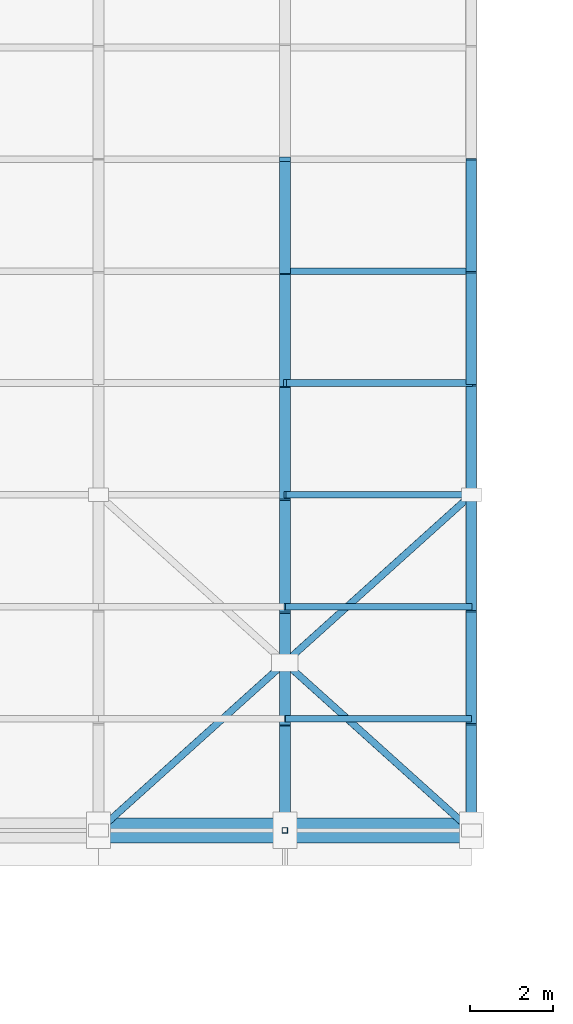
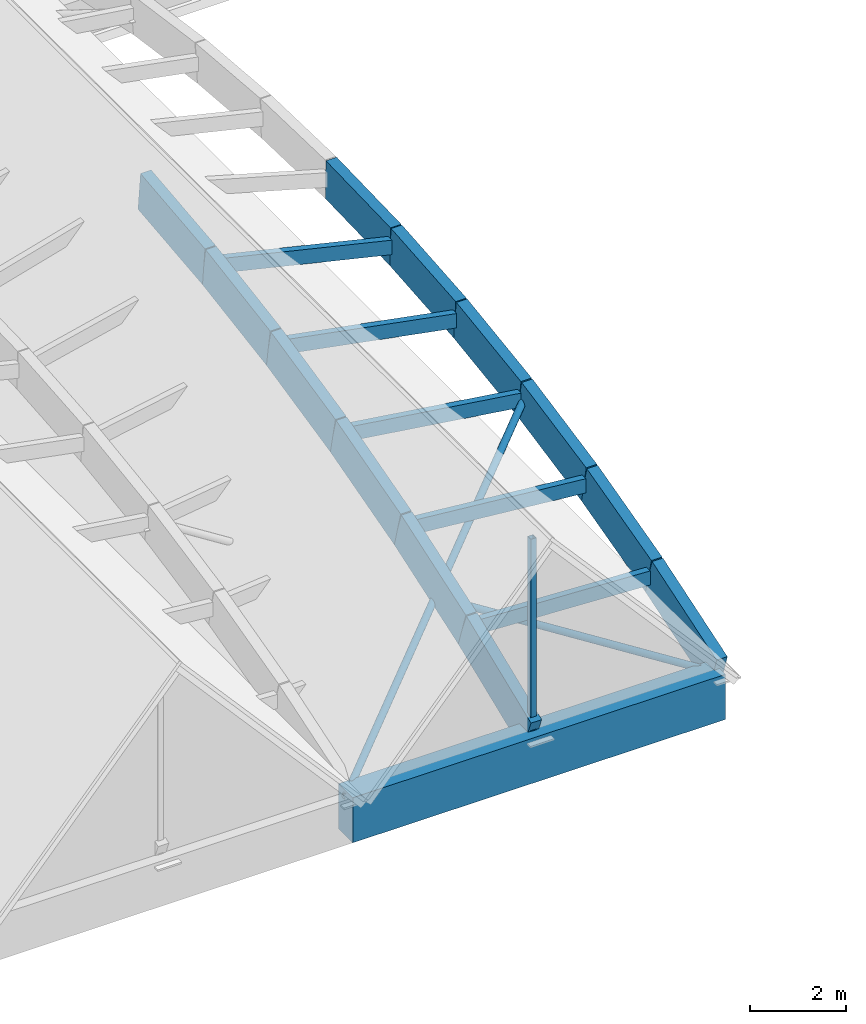
# One storey, part 25 of 39: 20 members, 1 beam.
"""IFC4 building model written with IfcOpenShell, lengths in metres."""

from ifc_helpers import new_model, si_unit, direction, frame, origin, origin_2d, place, context, subcontext, project, spatial, rectangle, hollow_rectangle, hollow_circle, extrude, material, material_profile, profile_set, type_object, element, save


model = new_model("IFC4")

# Units and contexts
model_context = context("Model", 3, precision=1e-05, world=origin(), true_north=direction((0.0, 1.0)))
body_context = subcontext(model_context, "Body", "Model", "MODEL_VIEW")
ifc_project = project(units=[si_unit("LENGTHUNIT", "METRE"), si_unit("AREAUNIT", "SQUARE_METRE"), si_unit("VOLUMEUNIT", "CUBIC_METRE"), si_unit("PLANEANGLEUNIT", "RADIAN"), si_unit("MASSUNIT", "GRAM", prefix="KILO")], contexts=[model_context])

# Site, building, storey
site_placement = place(None, origin())
site = spatial("IfcSite", under=ifc_project, at=site_placement, CompositionType="ELEMENT")
building_placement = place(site_placement, origin())
building = spatial("IfcBuilding", under=site, at=building_placement, Name="Tizgana Railside Sports Hall", CompositionType="ELEMENT")
storey_placement = place(building_placement, frame((0.0, 0.0, 23.699951171875)))
storey = spatial("IfcBuildingStorey", under=building, at=storey_placement, Name="RF", CompositionType="ELEMENT", Elevation=23.699951171875)

# Beam
ifc_material_1 = material(Name="Concrete C40/50", Category="concrete")
ifc_material_profile_1 = material_profile(ifc_material_1, rectangle(XDim=0.60009765625, YDim=1.14990234375, at=origin_2d()), Name="RCB 600x1150")
ifc_profile_set_1 = profile_set([ifc_material_profile_1], Name="Concrete C40/50")
beam_type = type_object("IfcBeamType", Name="Concrete Beam RCB 600x1150", PredefinedType="BEAM", material=ifc_profile_set_1)
beam_placement = place(storey_placement, frame((124.800048828125, 40.800048828125, -3.27490234375), z_axis=(1.0, 0.0, 0.0), x_axis=(0.0, 1.0, 0.0)))
element("IfcBeam", 1, at=beam_placement, inside=storey, type_object=beam_type, Name="RF BEM-1228", PredefinedType="BEAM", context=body_context, shape_type="SweptSolid", body=[
    extrude(rectangle(XDim=0.60009765625, YDim=1.14990234375, at=origin_2d()), origin(), (0.0, 0.0, 1.0), 9.0),
])

# Members
ifc_material_2 = material(Name="Glulam GL32h", Category="wood")
ifc_material_profile_2 = material_profile(ifc_material_2, rectangle(XDim=0.260009765625, YDim=0.97998046875, at=origin_2d()), Name="GL 260x980")
ifc_profile_set_2 = profile_set([ifc_material_profile_2], Name="Glulam GL32h")
member_type_1 = type_object("IfcMemberType", Name="Glulam Arch Segment GL 260x980", PredefinedType="USERDEFINED", material=ifc_profile_set_2)
member_1_placement = place(storey_placement, frame((129.300048828125, 40.800048828125, -2.849853515625), z_axis=(0.0, 0.927129277991, 0.37474164686), x_axis=(-1.0, 0.0, 0.0)))
element("IfcMember", 2, at=member_1_placement, inside=storey, type_object=member_type_1, Name="RF V2 Arch Chord MEM-0549", ObjectType="ARCH_SEGMENT", PredefinedType="USERDEFINED", context=body_context, shape_type="SweptSolid", body=[
    extrude(rectangle(XDim=0.260009765625, YDim=0.97998046875, at=origin_2d()), origin(), (0.0, 0.0, 1.0), 2.912109375),
])
member_2_placement = place(storey_placement, frame((129.300048828125, 43.5, -1.758544921875), z_axis=(0.0, 0.946643794117, 0.322281751049), x_axis=(-1.0, 0.0, 0.0)))
element("IfcMember", 3, at=member_2_placement, inside=storey, type_object=member_type_1, Name="RF V2 Arch Chord MEM-0550", ObjectType="ARCH_SEGMENT", PredefinedType="USERDEFINED", context=body_context, shape_type="SweptSolid", body=[
    extrude(rectangle(XDim=0.260009765625, YDim=0.97998046875, at=origin_2d()), origin(), (0.0, 0.0, 1.0), 2.85205078125),
])
member_3_placement = place(storey_placement, frame((129.300048828125, 46.199951171875, -0.83935546875), z_axis=(0.0, 0.963066151939, 0.269264901148), x_axis=(-1.0, 0.0, 0.0)))
element("IfcMember", 4, at=member_3_placement, inside=storey, type_object=member_type_1, Name="RF V2 Arch Chord MEM-0551", ObjectType="ARCH_SEGMENT", PredefinedType="USERDEFINED", context=body_context, shape_type="SweptSolid", body=[
    extrude(rectangle(XDim=0.260009765625, YDim=0.97998046875, at=origin_2d()), origin(), (0.0, 0.0, 1.0), 2.803466796875),
])
member_4_placement = place(storey_placement, frame((129.300048828125, 48.89990234375, -0.08447265625), z_axis=(0.0, 0.976481148201, 0.21560279963), x_axis=(-1.0, 0.0, 0.0)))
element("IfcMember", 5, at=member_4_placement, inside=storey, type_object=member_type_1, Name="RF V2 Arch Chord MEM-0552", ObjectType="ARCH_SEGMENT", PredefinedType="USERDEFINED", context=body_context, shape_type="SweptSolid", body=[
    extrude(rectangle(XDim=0.260009765625, YDim=0.97998046875, at=origin_2d()), origin(), (0.0, 0.0, 1.0), 2.76513671875),
])
member_5_placement = place(storey_placement, frame((129.300048828125, 51.60009765625, 0.51171875), z_axis=(0.0, 0.986912309377, 0.161257848182), x_axis=(-1.0, 0.0, 0.0)))
element("IfcMember", 6, at=member_5_placement, inside=storey, type_object=member_type_1, Name="RF V2 Arch Chord MEM-0553", ObjectType="ARCH_SEGMENT", PredefinedType="USERDEFINED", context=body_context, shape_type="SweptSolid", body=[
    extrude(rectangle(XDim=0.260009765625, YDim=0.97998046875, at=origin_2d()), origin(), (0.0, 0.0, 1.0), 2.73583984375),
])
member_6_placement = place(storey_placement, frame((129.300048828125, 54.300048828125, 0.952880859375), z_axis=(0.0, 0.994336672512, 0.106275969519), x_axis=(-1.0, 0.0, 0.0)))
element("IfcMember", 7, at=member_6_placement, inside=storey, type_object=member_type_1, Name="RF V2 Arch Chord MEM-0554", ObjectType="ARCH_SEGMENT", PredefinedType="USERDEFINED", context=body_context, shape_type="SweptSolid", body=[
    extrude(rectangle(XDim=0.260009765625, YDim=0.97998046875, at=origin_2d()), origin(), (0.0, 0.0, 1.0), 2.71533203125),
])
member_7_placement = place(storey_placement, frame((133.800048828125, 40.800048828125, -2.849853515625), z_axis=(0.0, 0.950912040346, 0.30946129245), x_axis=(-1.0, 0.0, 0.0)))
element("IfcMember", 8, at=member_7_placement, inside=storey, type_object=member_type_1, Name="RF V2 Arch Chord MEM-0562", ObjectType="ARCH_SEGMENT", PredefinedType="USERDEFINED", context=body_context, shape_type="SweptSolid", body=[
    extrude(rectangle(XDim=0.260009765625, YDim=0.97998046875, at=origin_2d()), origin(), (0.0, 0.0, 1.0), 2.83935546875),
])
member_8_placement = place(storey_placement, frame((133.800048828125, 43.5, -1.97119140625), z_axis=(0.0, 0.96740233444, 0.253244394448), x_axis=(-1.0, 0.0, 0.0)))
element("IfcMember", 9, at=member_8_placement, inside=storey, type_object=member_type_1, Name="RF V2 Arch Chord MEM-0563", ObjectType="ARCH_SEGMENT", PredefinedType="USERDEFINED", context=body_context, shape_type="SweptSolid", body=[
    extrude(rectangle(XDim=0.260009765625, YDim=0.97998046875, at=origin_2d()), origin(), (0.0, 0.0, 1.0), 2.791015625),
])
member_9_placement = place(storey_placement, frame((133.800048828125, 46.199951171875, -1.264404296875), z_axis=(0.0, 0.980406395207, 0.196985533064), x_axis=(-1.0, 0.0, 0.0)))
element("IfcMember", 10, at=member_9_placement, inside=storey, type_object=member_type_1, Name="RF V2 Arch Chord MEM-0564", ObjectType="ARCH_SEGMENT", PredefinedType="USERDEFINED", context=body_context, shape_type="SweptSolid", body=[
    extrude(rectangle(XDim=0.260009765625, YDim=0.97998046875, at=origin_2d()), origin(), (0.0, 0.0, 1.0), 2.75390625),
])
member_10_placement = place(storey_placement, frame((133.800048828125, 48.89990234375, -0.721923828125), z_axis=(0.0, 0.990049503072, 0.140719513456), x_axis=(-1.0, 0.0, 0.0)))
element("IfcMember", 11, at=member_10_placement, inside=storey, type_object=member_type_1, Name="RF V2 Arch Chord MEM-0565", ObjectType="ARCH_SEGMENT", PredefinedType="USERDEFINED", context=body_context, shape_type="SweptSolid", body=[
    extrude(rectangle(XDim=0.260009765625, YDim=0.97998046875, at=origin_2d()), origin(), (0.0, 0.0, 1.0), 2.727294921875),
])
member_11_placement = place(storey_placement, frame((133.800048828125, 51.60009765625, -0.338134765625), z_axis=(0.0, 0.996437422353, 0.084335421586), x_axis=(-1.0, 0.0, 0.0)))
element("IfcMember", 12, at=member_11_placement, inside=storey, type_object=member_type_1, Name="RF V2 Arch Chord MEM-0566", ObjectType="ARCH_SEGMENT", PredefinedType="USERDEFINED", context=body_context, shape_type="SweptSolid", body=[
    extrude(rectangle(XDim=0.260009765625, YDim=0.97998046875, at=origin_2d()), origin(), (0.0, 0.0, 1.0), 2.709716796875),
])
member_12_placement = place(storey_placement, frame((133.800048828125, 54.300048828125, -0.109619140625), z_axis=(0.0, 0.999602270029, 0.028201094877), x_axis=(-1.0, 0.0, 0.0)))
element("IfcMember", 13, at=member_12_placement, inside=storey, type_object=member_type_1, Name="RF V2 Arch Chord MEM-0567", ObjectType="ARCH_SEGMENT", PredefinedType="USERDEFINED", context=body_context, shape_type="SweptSolid", body=[
    extrude(rectangle(XDim=0.260009765625, YDim=0.97998046875, at=origin_2d()), origin(), (0.0, 0.0, 1.0), 2.700927734375),
])
ifc_material_3 = material(Name="Glulam GL28h", Category="wood")
ifc_material_profile_3 = material_profile(ifc_material_3, rectangle(XDim=0.159912109375, YDim=0.360107421875, at=origin_2d()), Name="GL 160x360")
ifc_profile_set_3 = profile_set([ifc_material_profile_3], Name="Glulam GL28h")
member_type_2 = type_object("IfcMemberType", Name="Glulam Roof Purlin GL 160x360", PredefinedType="PURLIN", material=ifc_profile_set_3)
member_13_placement = place(storey_placement, frame((129.300048828125, 43.5, -1.758544921875), z_axis=(0.998885359561, 0.0, -0.047202102223), x_axis=(0.0, 1.0, 0.0)))
element("IfcMember", 14, at=member_13_placement, inside=storey, type_object=member_type_2, Name="RF V2 Purlin MEM-0709", PredefinedType="PURLIN", context=body_context, shape_type="SweptSolid", body=[
    extrude(rectangle(XDim=0.159912109375, YDim=0.360107421875, at=origin_2d()), origin(), (0.0, 0.0, 1.0), 4.505126953125),
])
member_14_placement = place(storey_placement, frame((129.300048828125, 46.199951171875, -0.83935546875), z_axis=(0.995568727865, 0.0, -0.094036738022), x_axis=(0.0, 1.0, 0.0)))
element("IfcMember", 15, at=member_14_placement, inside=storey, type_object=member_type_2, Name="RF V2 Purlin MEM-0711", PredefinedType="PURLIN", context=body_context, shape_type="SweptSolid", body=[
    extrude(rectangle(XDim=0.159912109375, YDim=0.360107421875, at=origin_2d()), origin(), (0.0, 0.0, 1.0), 4.52001953125),
])
member_15_placement = place(storey_placement, frame((129.300048828125, 48.89990234375, -0.08447265625), z_axis=(0.990115330681, 0.0, -0.140255595074), x_axis=(0.0, 1.0, 0.0)))
element("IfcMember", 16, at=member_15_placement, inside=storey, type_object=member_type_2, Name="RF V2 Purlin MEM-0713", PredefinedType="PURLIN", context=body_context, shape_type="SweptSolid", body=[
    extrude(rectangle(XDim=0.159912109375, YDim=0.360107421875, at=origin_2d()), origin(), (0.0, 0.0, 1.0), 4.544921875),
])
member_16_placement = place(storey_placement, frame((129.300048828125, 51.60009765625, 0.51171875), z_axis=(0.982629934955, 0.0, -0.185575889951), x_axis=(0.0, 1.0, 0.0)))
element("IfcMember", 17, at=member_16_placement, inside=storey, type_object=member_type_2, Name="RF V2 Purlin MEM-0715", PredefinedType="PURLIN", context=body_context, shape_type="SweptSolid", body=[
    extrude(rectangle(XDim=0.159912109375, YDim=0.360107421875, at=origin_2d()), origin(), (0.0, 0.0, 1.0), 4.57958984375),
])
member_17_placement = place(storey_placement, frame((129.300048828125, 54.300048828125, 0.952880859375), z_axis=(0.97323960179, 0.0, -0.229792683756), x_axis=(0.0, 1.0, 0.0)))
element("IfcMember", 18, at=member_17_placement, inside=storey, type_object=member_type_2, Name="RF V2 Purlin MEM-0717", PredefinedType="PURLIN", context=body_context, shape_type="SweptSolid", body=[
    extrude(rectangle(XDim=0.159912109375, YDim=0.360107421875, at=origin_2d()), origin(), (0.0, 0.0, 1.0), 4.623779296875),
])
ifc_material_4 = material(Name="Steel S355J2", Category="steel")
ifc_material_profile_4 = material_profile(ifc_material_4, hollow_circle(Radius=0.084228515625, WallThickness=0.008056640625, at=origin_2d()), Name="CHS 168.3x8")
ifc_profile_set_4 = profile_set([ifc_material_profile_4], Name="Steel S355J2")
member_type_3 = type_object("IfcMemberType", Name="Steel Brace CHS 168.3x8", PredefinedType="BRACE", material=ifc_profile_set_4)
member_18_placement = place(storey_placement, frame((124.800048828125, 40.800048828125, -2.849853515625), z_axis=(0.732080706849, 0.658860720788, 0.173090696639), x_axis=(-0.668958047626, 0.743300161789, 0.0)))
element("IfcMember", 19, at=member_18_placement, inside=storey, type_object=member_type_3, Name="RF V2 Continuous Wind Brace MEM-0730", PredefinedType="BRACE", context=body_context, shape_type="SweptSolid", body=[
    extrude(hollow_circle(Radius=0.084228515625, WallThickness=0.008056640625, at=origin_2d()), origin(), (0.0, 0.0, 1.0), 12.293701171875),
])
member_19_placement = place(storey_placement, frame((133.800048828125, 40.800048828125, -2.849853515625), z_axis=(-0.732069476291, 0.658870657348, 0.173100371948), x_axis=(-0.668969291431, -0.743290042394, 0.0)))
element("IfcMember", 20, at=member_19_placement, inside=storey, type_object=member_type_3, Name="RF V2 Split Wind Brace MEM-0731", PredefinedType="BRACE", context=body_context, shape_type="SweptSolid", body=[
    extrude(hollow_circle(Radius=0.084228515625, WallThickness=0.008056640625, at=origin_2d()), origin(), (0.0, 0.0, 1.0), 6.0068359375),
])
ifc_material_profile_5 = material_profile(ifc_material_4, hollow_rectangle(XDim=0.139892578125, YDim=0.139892578125, WallThickness=0.008056640625, at=origin_2d()), Name="SHS 140x140x8")
ifc_profile_set_5 = profile_set([ifc_material_profile_5], Name="Steel S355J2")
member_type_4 = type_object("IfcMemberType", Name="Steel Brace SHS 140x140x8", PredefinedType="BRACE", material=ifc_profile_set_5)
member_20_placement = place(storey_placement, frame((129.300048828125, 40.800048828125, -2.89990234375), z_axis=(0.0, 0.0, 1.0), x_axis=(1.0, 0.0, 0.0)))
element("IfcMember", 21, at=member_20_placement, inside=storey, type_object=member_type_4, Name="RF King Post", PredefinedType="BRACE", context=body_context, shape_type="SweptSolid", body=[
    extrude(hollow_rectangle(XDim=0.139892578125, YDim=0.139892578125, WallThickness=0.008056640625, at=origin_2d()), origin(), (0.0, 0.0, 1.0), 5.099853515625),
])

save(model, "model.ifc")
